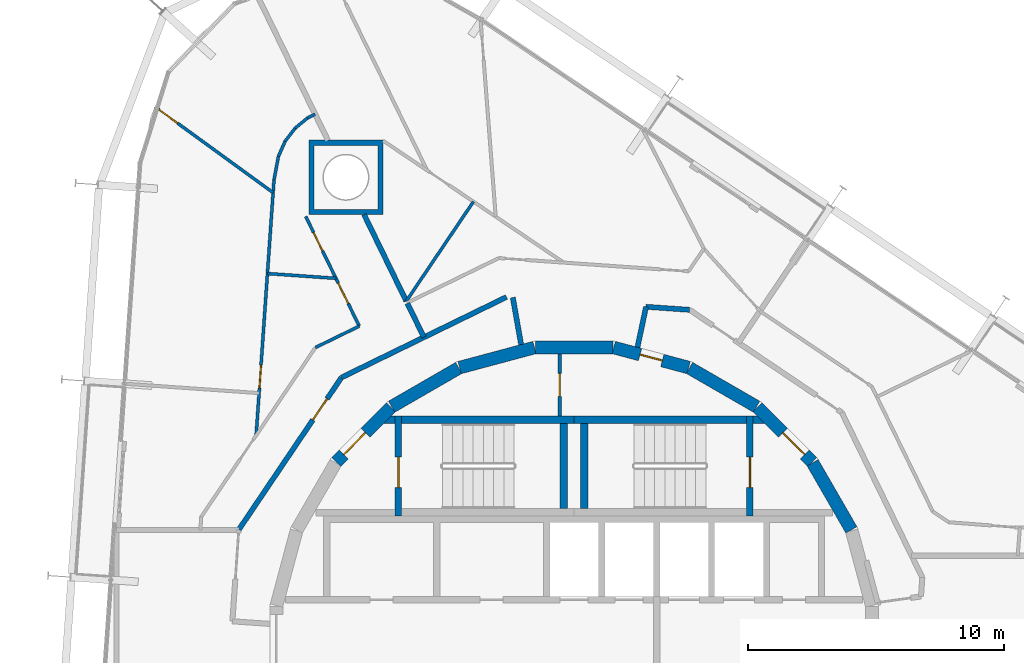
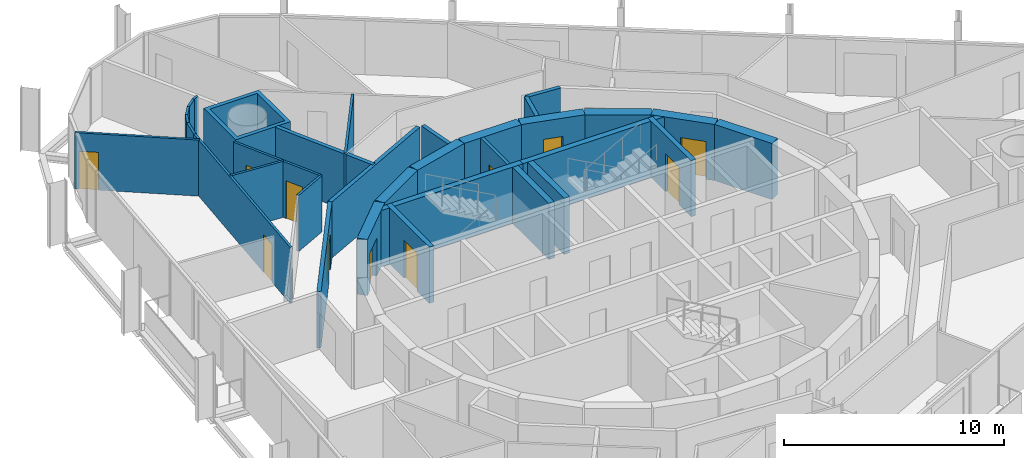
# One storey, part 15 of 17: 36 walls, 11 doors, 11 openings.
"""IFC4 building model written with IfcOpenShell, lengths in metres."""

from ifc_helpers import new_model, si_unit, direction, frame, frame_2d, origin, place, context, subcontext, project, spatial, polyline, rectangle, outline, extrude, material, layer, layer_set, type_object, element, fill, save


model = new_model("IFC4")

# Units and contexts
model_context = context("Model", 3, precision=1e-05, world=origin(), true_north=direction((0.0, 1.0)))
body_context = subcontext(model_context, "Body", "Model", "MODEL_VIEW")
ifc_project = project(units=[si_unit("LENGTHUNIT", "METRE"), si_unit("AREAUNIT", "SQUARE_METRE"), si_unit("VOLUMEUNIT", "CUBIC_METRE"), si_unit("PLANEANGLEUNIT", "RADIAN"), si_unit("MASSUNIT", "GRAM", prefix="KILO")], contexts=[model_context])

# Site, building, storey
site_placement = place(None, origin())
site = spatial("IfcSite", under=ifc_project, at=site_placement, CompositionType="ELEMENT")
building_placement = place(site_placement, origin())
building = spatial("IfcBuilding", under=site, at=building_placement, Name="Spindle Arch Residences", CompositionType="ELEMENT")
storey_placement = place(building_placement, frame((0.0, 0.0, 212.89990234375)))
storey = spatial("IfcBuildingStorey", under=building, at=storey_placement, Name="L54", CompositionType="ELEMENT", Elevation=212.89990234375)

# Wall
ifc_material_1 = material(Name="Concrete C50/60", Category="concrete")
ifc_layer_1 = layer(ifc_material_1, 0.5)
ifc_layer_set_1 = layer_set([ifc_layer_1], Name="Core outline wall 500")
wall_type_1 = type_object("IfcWallType", Name="Core outline wall 500", PredefinedType="SHEAR", material=ifc_layer_set_1)
wall_1_placement = place(storey_placement, frame((10.84521484375, 4.510498046875, 0.0), z_axis=(0.0, 0.0, 1.0), x_axis=(-0.500087131594, 0.865975092491, 0.0)))
element("IfcWall", 1, at=wall_1_placement, inside=storey, type_object=wall_type_1, Name="Core outline wall 8", PredefinedType="SHEAR", context=body_context, shape_type="SweptSolid", body=[
    extrude(rectangle(XDim=3.03271484375, YDim=0.5, at=frame_2d((1.516357421875, 0.0))), origin(), (0.0, 0.0, 1.0), 3.1201171875),
])

# Wall, opening, door
wall_2_placement = place(storey_placement, frame((9.30810546875, 7.163818359375, 0.0), z_axis=(0.0, 0.0, 1.0), x_axis=(-0.707106781187, 0.707106781187, 0.0)))
wall_2 = element("IfcWall", 2, at=wall_2_placement, inside=storey, type_object=wall_type_1, Name="Core outline wall 9", PredefinedType="SHEAR", context=body_context, shape_type="SweptSolid", body=[
    extrude(rectangle(XDim=3.032470703125, YDim=0.5, at=frame_2d((1.51611328125, 0.0))), origin(), (0.0, 0.0, 1.0), 3.1201171875),
])
opening_1_placement = place(wall_2_placement, frame((0.416259765625, 0.0, 0.0)))
opening_1 = element("IfcOpeningElement", 3, at=opening_1_placement, cuts=wall_2, Name="Opening R5C1-AD01", PredefinedType="OPENING", context=body_context, shape_type="SweptSolid", body=[
    extrude(rectangle(XDim=1.199951171875, YDim=2.10009765625, at=frame_2d((0.60009765625, 1.050048828125))), frame((0.0, 0.260009765625, 0.0), z_axis=(0.0, -1.0, 0.0), x_axis=(1.0, 0.0, 0.0)), (0.0, 0.0, 1.0), 0.52001953125),
])
ifc_material_2 = material(Name="Steel, fire-resisting door", Category="steel")
door_type_1 = type_object("IfcDoorType", Name="Stair airlock door 1200x2100", OperationType="SINGLE_SWING_LEFT", PredefinedType="DOOR", material=ifc_material_2)
door_1_placement = place(opening_1_placement, origin())
door_1 = element("IfcDoor", 4, at=door_1_placement, inside=storey, type_object=door_type_1, Name="Stair airlock door R5C1-AD01", OperationType="SINGLE_SWING_RIGHT", OverallHeight=2.10009765625, OverallWidth=1.199951171875, PredefinedType="DOOR", context=body_context, shape_type="SweptSolid", body=[
    extrude(rectangle(XDim=1.199951171875, YDim=2.10009765625, at=frame_2d((0.60009765625, 1.050048828125))), frame((0.0, 0.02490234375, 0.0), z_axis=(0.0, -1.0, 0.0), x_axis=(1.0, 0.0, 0.0)), (0.0, 0.0, 1.0), 0.050048828125),
])
fill(opening_1, door_1)

# Wall
wall_3_placement = place(storey_placement, frame((7.13671875, 9.32861328125, 0.0), z_axis=(0.0, 0.0, 1.0), x_axis=(-0.865975092491, 0.500087131594, 0.0)))
element("IfcWall", 5, at=wall_3_placement, inside=storey, type_object=wall_type_1, Name="Core outline wall 10", PredefinedType="SHEAR", context=body_context, shape_type="SweptSolid", body=[
    extrude(rectangle(XDim=3.03271484375, YDim=0.5, at=frame_2d((1.516357421875, 0.0))), origin(), (0.0, 0.0, 1.0), 3.1201171875),
])

# Wall, opening, door
wall_4_placement = place(storey_placement, frame((4.479248046875, 10.858154296875, 0.0), z_axis=(0.0, 0.0, 1.0), x_axis=(-0.965948410781, 0.258734743916, 0.0)))
wall_4 = element("IfcWall", 6, at=wall_4_placement, inside=storey, type_object=wall_type_1, Name="Core outline wall 11", PredefinedType="SHEAR", context=body_context, shape_type="SweptSolid", body=[
    extrude(rectangle(XDim=3.03271484375, YDim=0.5, at=frame_2d((1.516357421875, 0.0))), origin(), (0.0, 0.0, 1.0), 3.1201171875),
])
opening_2_placement = place(wall_4_placement, frame((1.066162109375, 0.0, 0.0)))
opening_2 = element("IfcOpeningElement", 7, at=opening_2_placement, cuts=wall_4, Name="Opening R5C1-WD10", PredefinedType="OPENING", context=body_context, shape_type="SweptSolid", body=[
    extrude(rectangle(XDim=0.89990234375, YDim=2.10009765625, at=frame_2d((0.449951171875, 1.050048828125))), frame((0.0, 0.260009765625, 0.0), z_axis=(0.0, -1.0, 0.0), x_axis=(1.0, 0.0, 0.0)), (0.0, 0.0, 1.0), 0.52001953125),
])
ifc_material_3 = material(Name="Steel, fire-resisting door", Category="steel")
door_type_2 = type_object("IfcDoorType", Name="Service room door 900x2100", OperationType="SINGLE_SWING_LEFT", PredefinedType="DOOR", material=ifc_material_3)
door_2_placement = place(opening_2_placement, origin())
door_2 = element("IfcDoor", 8, at=door_2_placement, inside=storey, type_object=door_type_2, Name="Service room door R5C1-WD10", OperationType="SINGLE_SWING_RIGHT", OverallHeight=2.10009765625, OverallWidth=0.89990234375, PredefinedType="DOOR", context=body_context, shape_type="SweptSolid", body=[
    extrude(rectangle(XDim=0.89990234375, YDim=2.10009765625, at=frame_2d((0.449951171875, 1.050048828125))), frame((0.0, 0.02490234375, 0.0), z_axis=(0.0, -1.0, 0.0), x_axis=(1.0, 0.0, 0.0)), (0.0, 0.0, 1.0), 0.050048828125),
])
fill(opening_2, door_2)

# Walls
for number, where, z_axis, x_axis, name in (
    (9, (1.516357421875, 11.647216796875, 0.0), (0.0, 0.0, 1.0), (-1.0, 0.0, 0.0), "Core outline wall 12"),
    (10, (-1.5498046875, 11.642822265625, 0.0), (0.0, 0.0, 1.0), (-0.965948410781, -0.258734743916, 0.0), "Core outline wall 13"),
    (11, (-4.510498046875, 10.84521484375, 0.0), (0.0, 0.0, 1.0), (-0.865975092491, -0.500087131594, 0.0), "Core outline wall 14"),
):
    element("IfcWall", number, at=place(storey_placement, frame(where, z_axis=z_axis, x_axis=x_axis)), inside=storey, type_object=wall_type_1, Name=name, PredefinedType="SHEAR", context=body_context, shape_type="SweptSolid", body=[
        extrude(rectangle(XDim=3.03271484375, YDim=0.5, at=frame_2d((1.516357421875, 0.0))), origin(), (0.0, 0.0, 1.0), 3.1201171875),
    ])

# Wall, opening, door
wall_5_placement = place(storey_placement, frame((-7.163818359375, 9.30810546875, 0.0), z_axis=(0.0, 0.0, 1.0), x_axis=(-0.707106781187, -0.707106781187, 0.0)))
wall_5 = element("IfcWall", 12, at=wall_5_placement, inside=storey, type_object=wall_type_1, Name="Core outline wall 15", PredefinedType="SHEAR", context=body_context, shape_type="SweptSolid", body=[
    extrude(rectangle(XDim=3.032470703125, YDim=0.5, at=frame_2d((1.51611328125, 0.0))), origin(), (0.0, 0.0, 1.0), 3.1201171875),
])
opening_3_placement = place(wall_5_placement, frame((1.416259765625, 0.0, 0.0)))
opening_3 = element("IfcOpeningElement", 13, at=opening_3_placement, cuts=wall_5, Name="Opening R5C1-AD02", PredefinedType="OPENING", context=body_context, shape_type="SweptSolid", body=[
    extrude(rectangle(XDim=1.199951171875, YDim=2.10009765625, at=frame_2d((0.60009765625, 1.050048828125))), frame((0.0, 0.260009765625, 0.0), z_axis=(0.0, -1.0, 0.0), x_axis=(1.0, 0.0, 0.0)), (0.0, 0.0, 1.0), 0.52001953125),
])
door_3_placement = place(opening_3_placement, origin())
door_3 = element("IfcDoor", 14, at=door_3_placement, inside=storey, type_object=door_type_1, Name="Stair airlock door R5C1-AD02", OperationType="SINGLE_SWING_RIGHT", OverallHeight=2.10009765625, OverallWidth=1.199951171875, PredefinedType="DOOR", context=body_context, shape_type="SweptSolid", body=[
    extrude(rectangle(XDim=1.199951171875, YDim=2.10009765625, at=frame_2d((0.60009765625, 1.050048828125))), frame((0.0, 0.02490234375, 0.0), z_axis=(0.0, -1.0, 0.0), x_axis=(1.0, 0.0, 0.0)), (0.0, 0.0, 1.0), 0.050048828125),
])
fill(opening_3, door_3)

# Walls
ifc_material_4 = material(Name="Calcium silicate block, plastered")
ifc_layer_2 = layer(ifc_material_4, 0.199951171875)
ifc_layer_set_2 = layer_set([ifc_layer_2], Name="Corridor wall 200")
wall_type_2 = type_object("IfcWallType", Name="Corridor wall 200", PredefinedType="STANDARD", material=ifc_layer_set_2)
wall_6_placement = place(storey_placement, frame((4.5166015625, 13.116943359375, 0.0), z_axis=(0.0, 0.0, 1.0), x_axis=(-0.997562153664, 0.069783591025, 0.0)))
element("IfcWall", 15, at=wall_6_placement, inside=storey, type_object=wall_type_2, Name="Corridor wall R5C1-W006", PredefinedType="STANDARD", context=body_context, shape_type="SweptSolid", body=[
    extrude(rectangle(XDim=1.707275390625, YDim=0.199951171875, at=frame_2d((0.853515625, 0.0))), origin(), (0.0, 0.0, 1.0), 3.1201171875),
])
wall_7_placement = place(storey_placement, frame((2.8134765625, 13.236083984375, 0.0), z_axis=(0.0, 0.0, 1.0), x_axis=(-0.207911086063, -0.978147729278, 0.0)))
element("IfcWall", 16, at=wall_7_placement, inside=storey, type_object=wall_type_2, Name="Corridor wall R5C1-W007", PredefinedType="STANDARD", context=body_context, shape_type="SweptSolid", body=[
    extrude(rectangle(XDim=1.6181640625, YDim=0.199951171875, at=frame_2d((0.80908203125, 0.0))), origin(), (0.0, 0.0, 1.0), 3.1201171875),
])
wall_8_placement = place(storey_placement, frame((-2.07373046875, 11.76123046875, 0.0), z_axis=(0.0, 0.0, 1.0), x_axis=(-0.173740587112, 0.984791454263, 0.0)))
element("IfcWall", 17, at=wall_8_placement, inside=storey, type_object=wall_type_2, Name="Corridor wall R5C1-W010", PredefinedType="STANDARD", context=body_context, shape_type="SweptSolid", body=[
    extrude(rectangle(XDim=1.867431640625, YDim=0.199951171875, at=frame_2d((0.93359375, 0.0))), origin(), (0.0, 0.0, 1.0), 3.1201171875),
])
wall_9_placement = place(storey_placement, frame((-2.64697265625, 13.617919921875, 0.0), z_axis=(0.0, 0.0, 1.0), x_axis=(-0.898796543751, -0.438366026218, 0.0)))
element("IfcWall", 18, at=wall_9_placement, inside=storey, type_object=wall_type_2, Name="Corridor wall R5C1-W011", PredefinedType="STANDARD", context=body_context, shape_type="SweptSolid", body=[
    extrude(rectangle(XDim=7.18115234375, YDim=0.199951171875, at=frame_2d((3.590576171875, 0.0))), origin(), (0.0, 0.0, 1.0), 3.1201171875),
])

# Wall, opening, door
wall_10_placement = place(storey_placement, frame((-9.101318359375, 10.469970703125, 0.0), z_axis=(0.0, 0.0, 1.0), x_axis=(-0.559195469534, -0.829035841718, 0.0)))
wall_10 = element("IfcWall", 19, at=wall_10_placement, inside=storey, type_object=wall_type_2, Name="Corridor wall R5C1-W012", PredefinedType="STANDARD", context=body_context, shape_type="SweptSolid", body=[
    extrude(rectangle(XDim=7.18115234375, YDim=0.199951171875, at=frame_2d((3.590576171875, 0.0))), origin(), (0.0, 0.0, 1.0), 3.1201171875),
])
opening_4_placement = place(wall_10_placement, frame((1.0, 0.0, 0.0)))
opening_4 = element("IfcOpeningElement", 20, at=opening_4_placement, cuts=wall_10, Name="Opening R5C1-FD03", PredefinedType="OPENING", context=body_context, shape_type="SweptSolid", body=[
    extrude(rectangle(XDim=1.0, YDim=2.10009765625, at=frame_2d((0.5, 1.050048828125))), frame((0.0, 0.10986328125, 0.0), z_axis=(0.0, -1.0, 0.0), x_axis=(1.0, 0.0, 0.0)), (0.0, 0.0, 1.0), 0.219970703125),
])
ifc_material_5 = material(Name="Timber, fire-resisting door set", Category="wood")
door_type_3 = type_object("IfcDoorType", Name="Flat entrance door 1000x2100", OperationType="NOTDEFINED", PredefinedType="DOOR", material=ifc_material_5)
door_4_placement = place(opening_4_placement, origin())
door_4 = element("IfcDoor", 21, at=door_4_placement, inside=storey, type_object=door_type_3, Name="Flat entrance door R5C1-FD03", OperationType="SINGLE_SWING_LEFT", OverallHeight=2.10009765625, OverallWidth=1.0, PredefinedType="DOOR", context=body_context, shape_type="SweptSolid", body=[
    extrude(rectangle(XDim=1.0, YDim=2.10009765625, at=frame_2d((0.5, 1.050048828125))), frame((0.0, 0.02490234375, 0.0), z_axis=(0.0, -1.0, 0.0), x_axis=(1.0, 0.0, 0.0)), (0.0, 0.0, 1.0), 0.050048828125),
])
fill(opening_4, door_4)

# Wall
ifc_material_6 = material(Name="Plasterboard on steel studs", Category="steel")
ifc_layer_3 = layer(ifc_material_6, 0.1201171875)
ifc_layer_set_3 = layer_set([ifc_layer_3], Name="Flat partition 120")
wall_type_3 = type_object("IfcWallType", Name="Flat partition 120", PredefinedType="PARTITIONING", material=ifc_layer_set_3)
wall_11_placement = place(storey_placement, frame((-3.939453125, 17.349853515625, 0.0), z_axis=(0.0, 0.0, 1.0), x_axis=(-0.559193216274, -0.829037361566, 0.0)))
element("IfcWall", 22, at=wall_11_placement, inside=storey, type_object=wall_type_3, Name="Flat partition R5C1-W056", PredefinedType="PARTITIONING", context=body_context, shape_type="SweptSolid", body=[
    extrude(rectangle(XDim=4.69384765625, YDim=0.1201171875, at=frame_2d((2.346923828125, 0.0))), origin(), (0.0, 0.0, 1.0), 3.1201171875),
])

# Wall, openings, doors
wall_12_placement = place(storey_placement, frame((-10.5, 16.774658203125, 0.0), z_axis=(0.0, 0.0, 1.0), x_axis=(0.438345136783, -0.898806731761, 0.0)))
wall_12 = element("IfcWall", 23, at=wall_12_placement, inside=storey, type_object=wall_type_3, Name="Flat partition R5C1-W058", PredefinedType="PARTITIONING", context=body_context, shape_type="SweptSolid", body=[
    extrude(rectangle(XDim=4.77978515625, YDim=0.1201171875, at=frame_2d((2.389892578125, 0.0))), origin(), (0.0, 0.0, 1.0), 3.1201171875),
])
opening_5_placement = place(wall_12_placement, frame((0.699951171875, 0.0, 0.0)))
opening_5 = element("IfcOpeningElement", 24, at=opening_5_placement, cuts=wall_12, Name="Opening R5C1-BD03", PredefinedType="OPENING", context=body_context, shape_type="SweptSolid", body=[
    extrude(rectangle(XDim=0.800048828125, YDim=2.10009765625, at=frame_2d((0.39990234375, 1.050048828125))), frame((0.0, 0.070068359375, 0.0), z_axis=(0.0, -1.0, 0.0), x_axis=(1.0, 0.0, 0.0)), (0.0, 0.0, 1.0), 0.14013671875),
])
opening_6_placement = place(wall_12_placement, frame((2.898681640625, 0.0, 0.0)))
opening_6 = element("IfcOpeningElement", 25, at=opening_6_placement, cuts=wall_12, Name="Opening R5C1-ID10", PredefinedType="OPENING", context=body_context, shape_type="SweptSolid", body=[
    extrude(rectangle(XDim=0.89990234375, YDim=2.10009765625, at=frame_2d((0.449951171875, 1.050048828125))), frame((0.0, 0.070068359375, 0.0), z_axis=(0.0, -1.0, 0.0), x_axis=(1.0, 0.0, 0.0)), (0.0, 0.0, 1.0), 0.14013671875),
])
ifc_material_7 = material(Name="Timber door set", Category="wood")
door_type_4 = type_object("IfcDoorType", Name="Bathroom door 800x2100", OperationType="NOTDEFINED", PredefinedType="DOOR", material=ifc_material_7)
door_5_placement = place(opening_5_placement, origin())
door_5 = element("IfcDoor", 26, at=door_5_placement, inside=storey, type_object=door_type_4, Name="Bathroom door R5C1-BD03", OperationType="SINGLE_SWING_LEFT", OverallHeight=2.10009765625, OverallWidth=0.800048828125, PredefinedType="DOOR", context=body_context, shape_type="SweptSolid", body=[
    extrude(rectangle(XDim=0.800048828125, YDim=2.10009765625, at=frame_2d((0.39990234375, 1.050048828125))), frame((0.0, 0.02490234375, 0.0), z_axis=(0.0, -1.0, 0.0), x_axis=(1.0, 0.0, 0.0)), (0.0, 0.0, 1.0), 0.050048828125),
])
fill(opening_5, door_5)
ifc_material_8 = material(Name="Timber door set", Category="wood")
door_type_5 = type_object("IfcDoorType", Name="Room door 900x2100", OperationType="NOTDEFINED", PredefinedType="DOOR", material=ifc_material_8)
door_6_placement = place(opening_6_placement, origin())
door_6 = element("IfcDoor", 27, at=door_6_placement, inside=storey, type_object=door_type_5, Name="Room door R5C1-ID10", OperationType="SINGLE_SWING_LEFT", OverallHeight=2.10009765625, OverallWidth=0.89990234375, PredefinedType="DOOR", context=body_context, shape_type="SweptSolid", body=[
    extrude(rectangle(XDim=0.89990234375, YDim=2.10009765625, at=frame_2d((0.449951171875, 1.050048828125))), frame((0.0, 0.02490234375, 0.0), z_axis=(0.0, -1.0, 0.0), x_axis=(1.0, 0.0, 0.0)), (0.0, 0.0, 1.0), 0.050048828125),
])
fill(opening_6, door_6)

# Wall
wall_13_placement = place(storey_placement, frame((-8.40478515625, 12.478515625, 0.0), z_axis=(0.0, 0.0, 1.0), x_axis=(-0.898784427692, -0.438390867307, 0.0)))
element("IfcWall", 28, at=wall_13_placement, inside=storey, type_object=wall_type_3, Name="Flat partition R5C1-W059", PredefinedType="PARTITIONING", context=body_context, shape_type="SweptSolid", body=[
    extrude(rectangle(XDim=1.908447265625, YDim=0.1201171875, at=frame_2d((0.9541015625, 0.0))), origin(), (0.0, 0.0, 1.0), 3.1201171875),
])

# Wall, opening, door
wall_14_placement = place(storey_placement, frame((-12.438720703125, 8.204345703125, 0.0), z_axis=(0.0, 0.0, 1.0), x_axis=(0.069750037523, 0.997564500303, 0.0)))
wall_14 = element("IfcWall", 29, at=wall_14_placement, inside=storey, type_object=wall_type_3, Name="Flat partition R5C1-W062", PredefinedType="PARTITIONING", context=body_context, shape_type="SweptSolid", body=[
    extrude(rectangle(XDim=10.01416015625, YDim=0.1201171875, at=frame_2d((5.007080078125, 0.0))), origin(), (0.0, 0.0, 1.0), 3.1201171875),
])
opening_7_placement = place(wall_14_placement, frame((1.859130859375, 0.0, 0.0)))
opening_7 = element("IfcOpeningElement", 30, at=opening_7_placement, cuts=wall_14, Name="Opening R5C1-ID12", PredefinedType="OPENING", context=body_context, shape_type="SweptSolid", body=[
    extrude(rectangle(XDim=0.89990234375, YDim=2.10009765625, at=frame_2d((0.449951171875, 1.050048828125))), frame((0.0, 0.070068359375, 0.0), z_axis=(0.0, -1.0, 0.0), x_axis=(1.0, 0.0, 0.0)), (0.0, 0.0, 1.0), 0.14013671875),
])
door_7_placement = place(opening_7_placement, origin())
door_7 = element("IfcDoor", 31, at=door_7_placement, inside=storey, type_object=door_type_5, Name="Room door R5C1-ID12", OperationType="SINGLE_SWING_LEFT", OverallHeight=2.10009765625, OverallWidth=0.89990234375, PredefinedType="DOOR", context=body_context, shape_type="SweptSolid", body=[
    extrude(rectangle(XDim=0.89990234375, YDim=2.10009765625, at=frame_2d((0.449951171875, 1.050048828125))), frame((0.0, 0.02490234375, 0.0), z_axis=(0.0, -1.0, 0.0), x_axis=(1.0, 0.0, 0.0)), (0.0, 0.0, 1.0), 0.050048828125),
])
fill(opening_7, door_7)

# Walls
wall_15_placement = place(storey_placement, frame((-11.740234375, 18.194091796875, 0.0), z_axis=(0.0, 0.0, 1.0), x_axis=(0.185144760846, 0.982711258474, 0.0)))
element("IfcWall", 32, at=wall_15_placement, inside=storey, type_object=wall_type_3, Name="Flat partition R5C1-W063", PredefinedType="PARTITIONING", context=body_context, shape_type="SweptSolid", body=[
    extrude(rectangle(XDim=0.94677734375, YDim=0.1201171875, at=frame_2d((0.473388671875, 0.0))), origin(), (0.0, 0.0, 1.0), 3.1201171875),
])
for number, where, z_axis, x_axis, name in (
    (33, (-11.56494140625, 19.12451171875, 0.0), (0.0, 0.0, 1.0), (0.406597190981, 0.913607532963, 0.0), "Flat partition R5C1-W064"),
    (34, (-11.303955078125, 19.7109375, 0.0), (0.0, 0.0, 1.0), (0.60667331935, 0.794951246045, 0.0), "Flat partition R5C1-W065"),
    (35, (-10.91455078125, 20.22119140625, 0.0), (0.0, 0.0, 1.0), (0.773278980213, 0.634065941965, 0.0), "Flat partition R5C1-W066"),
):
    element("IfcWall", number, at=place(storey_placement, frame(where, z_axis=z_axis, x_axis=x_axis)), inside=storey, type_object=wall_type_3, Name=name, PredefinedType="PARTITIONING", context=body_context, shape_type="SweptSolid", body=[
        extrude(rectangle(XDim=0.641845703125, YDim=0.1201171875, at=frame_2d((0.32080078125, 0.0))), origin(), (0.0, 0.0, 1.0), 3.1201171875),
    ])
wall_16_placement = place(storey_placement, frame((-10.418212890625, 20.628173828125, 0.0), z_axis=(0.0, 0.0, 1.0), x_axis=(0.898943795765, 0.438063981692, 0.0)))
element("IfcWall", 36, at=wall_16_placement, inside=storey, type_object=wall_type_3, Name="Flat partition R5C1-W067", PredefinedType="PARTITIONING", context=body_context, shape_type="SweptSolid", body=[
    extrude(rectangle(XDim=0.321044921875, YDim=0.1201171875, at=frame_2d((0.16064453125, 0.0))), origin(), (0.0, 0.0, 1.0), 3.1201171875),
])

# Wall, opening, door
wall_17_placement = place(storey_placement, frame((-16.39501953125, 21.060791015625, 0.0), z_axis=(0.0, 0.0, 1.0), x_axis=(0.808810002497, -0.58807004673, 0.0)))
wall_17 = element("IfcWall", 37, at=wall_17_placement, inside=storey, type_object=wall_type_3, Name="Flat partition R5C1-W068", PredefinedType="PARTITIONING", context=body_context, shape_type="SweptSolid", body=[
    extrude(rectangle(XDim=5.712646484375, YDim=0.1201171875, at=frame_2d((2.8564453125, 0.0))), origin(), (0.0, 0.0, 1.0), 3.1201171875),
])
opening_8_placement = place(wall_17_placement, frame((0.199951171875, 0.0, 0.0)))
opening_8 = element("IfcOpeningElement", 38, at=opening_8_placement, cuts=wall_17, Name="Opening R5C1-ID13", PredefinedType="OPENING", context=body_context, shape_type="SweptSolid", body=[
    extrude(rectangle(XDim=0.89990234375, YDim=2.10009765625, at=frame_2d((0.449951171875, 1.050048828125))), frame((0.0, 0.070068359375, 0.0), z_axis=(0.0, -1.0, 0.0), x_axis=(1.0, 0.0, 0.0)), (0.0, 0.0, 1.0), 0.14013671875),
])
door_8_placement = place(opening_8_placement, origin())
door_8 = element("IfcDoor", 39, at=door_8_placement, inside=storey, type_object=door_type_5, Name="Room door R5C1-ID13", OperationType="SINGLE_SWING_LEFT", OverallHeight=2.10009765625, OverallWidth=0.89990234375, PredefinedType="DOOR", context=body_context, shape_type="SweptSolid", body=[
    extrude(rectangle(XDim=0.89990234375, YDim=2.10009765625, at=frame_2d((0.449951171875, 1.050048828125))), frame((0.0, 0.02490234375, 0.0), z_axis=(0.0, -1.0, 0.0), x_axis=(1.0, 0.0, 0.0)), (0.0, 0.0, 1.0), 0.050048828125),
])
fill(opening_8, door_8)

# Walls
wall_18_placement = place(storey_placement, frame((-11.99609375, 14.536376953125, 0.0), z_axis=(0.0, 0.0, 1.0), x_axis=(0.997565991425, -0.069728708231, 0.0)))
element("IfcWall", 40, at=wall_18_placement, inside=storey, type_object=wall_type_3, Name="Flat partition R5C1-W069", PredefinedType="PARTITIONING", context=body_context, shape_type="SweptSolid", body=[
    extrude(rectangle(XDim=2.685546875, YDim=0.1201171875, at=frame_2d((1.3427734375, 0.0))), origin(), (0.0, 0.0, 1.0), 3.1201171875),
])
ifc_material_9 = material(Name="Calcium silicate block, plastered")
ifc_layer_4 = layer(ifc_material_9, 0.199951171875)
ifc_layer_set_4 = layer_set([ifc_layer_4], Name="Flat party wall 200")
wall_type_4 = type_object("IfcWallType", Name="Flat party wall 200", PredefinedType="STANDARD", material=ifc_layer_set_4)
wall_19_placement = place(storey_placement, frame((-6.5224609375, 13.373046875, 0.0), z_axis=(0.0, 0.0, 1.0), x_axis=(0.438277270821, -0.8988398266, 0.0)))
element("IfcWall", 41, at=wall_19_placement, inside=storey, type_object=wall_type_4, Name="Flat party wall R5C1-W031", PredefinedType="STANDARD", context=body_context, shape_type="SweptSolid", body=[
    extrude(rectangle(XDim=1.47900390625, YDim=0.199951171875, at=frame_2d((0.739501953125, 0.0))), origin(), (0.0, 0.0, 1.0), 3.1201171875),
])
wall_20_placement = place(storey_placement, frame((-8.219482421875, 16.8505859375, 0.0), z_axis=(0.0, 0.0, 1.0), x_axis=(0.438291091101, -0.898833087654, 0.0)))
element("IfcWall", 42, at=wall_20_placement, inside=storey, type_object=wall_type_4, Name="Flat party wall R5C1-W032", PredefinedType="STANDARD", context=body_context, shape_type="SweptSolid", body=[
    extrude(rectangle(XDim=3.7744140625, YDim=0.199951171875, at=frame_2d((1.88720703125, 0.0))), origin(), (0.0, 0.0, 1.0), 3.1201171875),
])
ifc_material_10 = material(Name="Calcium silicate block, plastered")
ifc_layer_5 = layer(ifc_material_10, 0.199951171875)
ifc_layer_set_5 = layer_set([ifc_layer_5], Name="Mega-column casing wall 200")
wall_type_5 = type_object("IfcWallType", Name="Mega-column casing wall 200", PredefinedType="STANDARD", material=ifc_layer_set_5)
wall_21_placement = place(storey_placement, origin())
element("IfcWall", 43, at=wall_21_placement, inside=storey, type_object=wall_type_5, Name="Mega-column casing wall R5C1-WC01", PredefinedType="STANDARD", context=body_context, shape_type="SweptSolid", body=[
    extrude(outline(polyline([(-7.475830078125, 19.750732421875), (-7.475830078125, 16.850830078125), (-10.3759765625, 16.850830078125), (-10.3759765625, 19.750732421875), (-7.475830078125, 19.750732421875)]), holes=[polyline([(-10.17578125, 17.05078125), (-7.67578125, 17.05078125), (-7.67578125, 19.55078125), (-10.17578125, 19.55078125), (-10.17578125, 17.05078125)])]), origin(), (0.0, 0.0, 1.0), 3.1201171875),
])

# Wall, opening, door
ifc_material_11 = material(Name="Concrete C25/30", Category="concrete")
ifc_layer_6 = layer(ifc_material_11, 0.14990234375)
ifc_layer_set_6 = layer_set([ifc_layer_6], Name="Service room partition 150")
wall_type_6 = type_object("IfcWallType", Name="Service room partition 150", PredefinedType="PARTITIONING", material=ifc_layer_set_6)
wall_22_placement = place(storey_placement, frame((-0.5615234375, 8.969970703125, 0.0), z_axis=(0.0, 0.0, 1.0), x_axis=(0.0, 1.0, 0.0)))
wall_22 = element("IfcWall", 44, at=wall_22_placement, inside=storey, type_object=wall_type_6, Name="Core service room partition", PredefinedType="PARTITIONING", context=body_context, shape_type="SweptSolid", body=[
    extrude(rectangle(XDim=2.42724609375, YDim=0.14990234375, at=frame_2d((1.213623046875, 0.0))), origin(), (0.0, 0.0, 1.0), 3.1201171875),
])
opening_9_placement = place(wall_22_placement, frame((0.763671875, 0.0, 0.0)))
opening_9 = element("IfcOpeningElement", 45, at=opening_9_placement, cuts=wall_22, Name="Opening R5C1-WD05", PredefinedType="OPENING", context=body_context, shape_type="SweptSolid", body=[
    extrude(rectangle(XDim=0.89990234375, YDim=2.10009765625, at=frame_2d((0.449951171875, 1.050048828125))), frame((0.0, 0.0849609375, 0.0), z_axis=(0.0, -1.0, 0.0), x_axis=(1.0, 0.0, 0.0)), (0.0, 0.0, 1.0), 0.169921875),
])
door_9_placement = place(opening_9_placement, origin())
door_9 = element("IfcDoor", 46, at=door_9_placement, inside=storey, type_object=door_type_2, Name="Service room door R5C1-WD05", OperationType="SINGLE_SWING_LEFT", OverallHeight=2.10009765625, OverallWidth=0.89990234375, PredefinedType="DOOR", context=body_context, shape_type="SweptSolid", body=[
    extrude(rectangle(XDim=0.89990234375, YDim=2.10009765625, at=frame_2d((0.449951171875, 1.050048828125))), frame((0.0, 0.02490234375, 0.0), z_axis=(0.0, -1.0, 0.0), x_axis=(1.0, 0.0, 0.0)), (0.0, 0.0, 1.0), 0.050048828125),
])
fill(opening_9, door_9)

# Walls
ifc_material_12 = material(Name="Concrete C40/50", Category="concrete")
wall_type_7 = type_object("IfcWallType", Name="Stair airlock wall profile", PredefinedType="SHEAR", material=ifc_material_12)
wall_23_placement = place(storey_placement, origin())
element("IfcWall", 47, at=wall_23_placement, inside=storey, type_object=wall_type_7, Name="Stair ST-1 airlock wall N", PredefinedType="SHEAR", context=body_context, shape_type="SweptSolid", body=[
    extrude(outline(polyline([(7.4482421875, 8.669921875), (7.0, 8.669921875), (7.0, 8.969970703125), (7.148193359375, 8.969970703125), (7.4482421875, 8.669921875)])), origin(), (0.0, 0.0, 1.0), 3.1201171875),
])
wall_24_placement = place(storey_placement, origin())
element("IfcWall", 48, at=wall_24_placement, inside=storey, type_object=wall_type_7, Name="Stair ST-2 airlock wall N", PredefinedType="SHEAR", context=body_context, shape_type="SweptSolid", body=[
    extrude(outline(polyline([(-7.148193359375, 8.969970703125), (-7.0, 8.969970703125), (-7.0, 8.669921875), (-7.4482421875, 8.669921875), (-7.148193359375, 8.969970703125)])), origin(), (0.0, 0.0, 1.0), 3.1201171875),
])

# Wall, opening, door
ifc_material_13 = material(Name="Concrete C50/60", Category="concrete")
ifc_layer_7 = layer(ifc_material_13, 0.25)
ifc_layer_set_7 = layer_set([ifc_layer_7], Name="Stair enclosure wall 250")
wall_type_8 = type_object("IfcWallType", Name="Stair enclosure wall 250", PredefinedType="SHEAR", material=ifc_layer_set_7)
wall_25_placement = place(storey_placement, frame((6.875, 5.050048828125, 0.0), z_axis=(0.0, 0.0, 1.0), x_axis=(0.0, 1.0, 0.0)))
wall_25 = element("IfcWall", 49, at=wall_25_placement, inside=storey, type_object=wall_type_8, Name="Stair ST-1 door wall", PredefinedType="SHEAR", context=body_context, shape_type="SweptSolid", body=[
    extrude(rectangle(XDim=3.919921875, YDim=0.25, at=frame_2d((1.9599609375, 0.0))), origin(), (0.0, 0.0, 1.0), 3.1201171875),
])
opening_10_placement = place(wall_25_placement, frame((1.110107421875, 0.0, 0.0)))
opening_10 = element("IfcOpeningElement", 50, at=opening_10_placement, cuts=wall_25, Name="Opening R5C1-SD01", PredefinedType="OPENING", context=body_context, shape_type="SweptSolid", body=[
    extrude(rectangle(XDim=1.199951171875, YDim=2.10009765625, at=frame_2d((0.60009765625, 1.050048828125))), frame((0.0, 0.135009765625, 0.0), z_axis=(0.0, -1.0, 0.0), x_axis=(1.0, 0.0, 0.0)), (0.0, 0.0, 1.0), 0.27001953125),
])
ifc_material_14 = material(Name="Steel, fire-resisting door", Category="steel")
door_type_6 = type_object("IfcDoorType", Name="Stair door 1200x2100", OperationType="SINGLE_SWING_RIGHT", PredefinedType="DOOR", material=ifc_material_14)
door_10_placement = place(opening_10_placement, origin())
door_10 = element("IfcDoor", 51, at=door_10_placement, inside=storey, type_object=door_type_6, Name="Stair door R5C1-SD01", OperationType="SINGLE_SWING_LEFT", OverallHeight=2.10009765625, OverallWidth=1.199951171875, PredefinedType="DOOR", context=body_context, shape_type="SweptSolid", body=[
    extrude(rectangle(XDim=1.199951171875, YDim=2.10009765625, at=frame_2d((0.60009765625, 1.050048828125))), frame((0.0, 0.02490234375, 0.0), z_axis=(0.0, -1.0, 0.0), x_axis=(1.0, 0.0, 0.0)), (0.0, 0.0, 1.0), 0.050048828125),
])
fill(opening_10, door_10)

wall_26_placement = place(storey_placement, frame((-6.875, 8.969970703125, 0.0), z_axis=(0.0, 0.0, 1.0), x_axis=(0.0, -1.0, 0.0)))
wall_26 = element("IfcWall", 52, at=wall_26_placement, inside=storey, type_object=wall_type_8, Name="Stair ST-2 door wall", PredefinedType="SHEAR", context=body_context, shape_type="SweptSolid", body=[
    extrude(rectangle(XDim=3.919921875, YDim=0.25, at=frame_2d((1.9599609375, 0.0))), origin(), (0.0, 0.0, 1.0), 3.1201171875),
])
opening_11_placement = place(wall_26_placement, frame((1.610107421875, 0.0, 0.0)))
opening_11 = element("IfcOpeningElement", 53, at=opening_11_placement, cuts=wall_26, Name="Opening R5C1-SD02", PredefinedType="OPENING", context=body_context, shape_type="SweptSolid", body=[
    extrude(rectangle(XDim=1.199951171875, YDim=2.10009765625, at=frame_2d((0.60009765625, 1.050048828125))), frame((0.0, 0.135009765625, 0.0), z_axis=(0.0, -1.0, 0.0), x_axis=(1.0, 0.0, 0.0)), (0.0, 0.0, 1.0), 0.27001953125),
])
door_11_placement = place(opening_11_placement, origin())
door_11 = element("IfcDoor", 54, at=door_11_placement, inside=storey, type_object=door_type_6, Name="Stair door R5C1-SD02", OperationType="SINGLE_SWING_LEFT", OverallHeight=2.10009765625, OverallWidth=1.199951171875, PredefinedType="DOOR", context=body_context, shape_type="SweptSolid", body=[
    extrude(rectangle(XDim=1.199951171875, YDim=2.10009765625, at=frame_2d((0.60009765625, 1.050048828125))), frame((0.0, 0.02490234375, 0.0), z_axis=(0.0, -1.0, 0.0), x_axis=(1.0, 0.0, 0.0)), (0.0, 0.0, 1.0), 0.050048828125),
])
fill(opening_11, door_11)

# Walls
ifc_material_15 = material(Name="Concrete C50/60", Category="concrete")
ifc_layer_8 = layer(ifc_material_15, 0.300048828125)
ifc_layer_set_8 = layer_set([ifc_layer_8], Name="Stair enclosure wall 300")
wall_type_9 = type_object("IfcWallType", Name="Stair enclosure wall 300", PredefinedType="SHEAR", material=ifc_layer_set_8)
wall_27_placement = place(storey_placement, frame((0.0, 8.820068359375, 0.0), z_axis=(0.0, 0.0, 1.0), x_axis=(1.0, 0.0, 0.0)))
element("IfcWall", 55, at=wall_27_placement, inside=storey, type_object=wall_type_9, Name="Stair ST-1 enclosure wall N", PredefinedType="SHEAR", context=body_context, shape_type="SweptSolid", body=[
    extrude(rectangle(XDim=6.75, YDim=0.300048828125, at=frame_2d((3.375, 0.0))), origin(), (0.0, 0.0, 1.0), 3.1201171875),
])
wall_28_placement = place(storey_placement, frame((0.39990234375, 5.35009765625, 0.0), z_axis=(0.0, 0.0, 1.0), x_axis=(0.0, 1.0, 0.0)))
element("IfcWall", 56, at=wall_28_placement, inside=storey, type_object=wall_type_9, Name="Stair ST-1 enclosure wall F", PredefinedType="SHEAR", context=body_context, shape_type="SweptSolid", body=[
    extrude(rectangle(XDim=3.31982421875, YDim=0.300048828125, at=frame_2d((1.659912109375, 0.0))), origin(), (0.0, 0.0, 1.0), 3.1201171875),
])
wall_29_placement = place(storey_placement, frame((-6.75, 8.820068359375, 0.0), z_axis=(0.0, 0.0, 1.0), x_axis=(1.0, 0.0, 0.0)))
element("IfcWall", 57, at=wall_29_placement, inside=storey, type_object=wall_type_9, Name="Stair ST-2 enclosure wall N", PredefinedType="SHEAR", context=body_context, shape_type="SweptSolid", body=[
    extrude(rectangle(XDim=6.75, YDim=0.300048828125, at=frame_2d((3.375, 0.0))), origin(), (0.0, 0.0, 1.0), 3.1201171875),
])
wall_30_placement = place(storey_placement, frame((-0.39990234375, 5.35009765625, 0.0), z_axis=(0.0, 0.0, 1.0), x_axis=(0.0, 1.0, 0.0)))
element("IfcWall", 58, at=wall_30_placement, inside=storey, type_object=wall_type_9, Name="Stair ST-2 enclosure wall F", PredefinedType="SHEAR", context=body_context, shape_type="SweptSolid", body=[
    extrude(rectangle(XDim=3.31982421875, YDim=0.300048828125, at=frame_2d((1.659912109375, 0.0))), origin(), (0.0, 0.0, 1.0), 3.1201171875),
])

save(model, "model.ifc")
